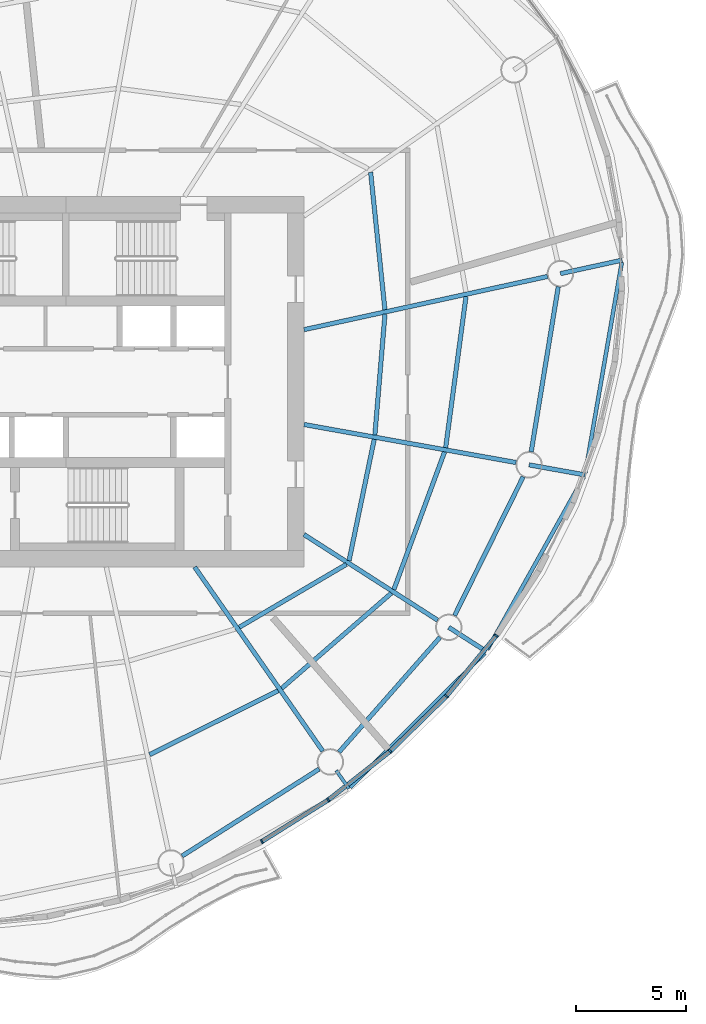
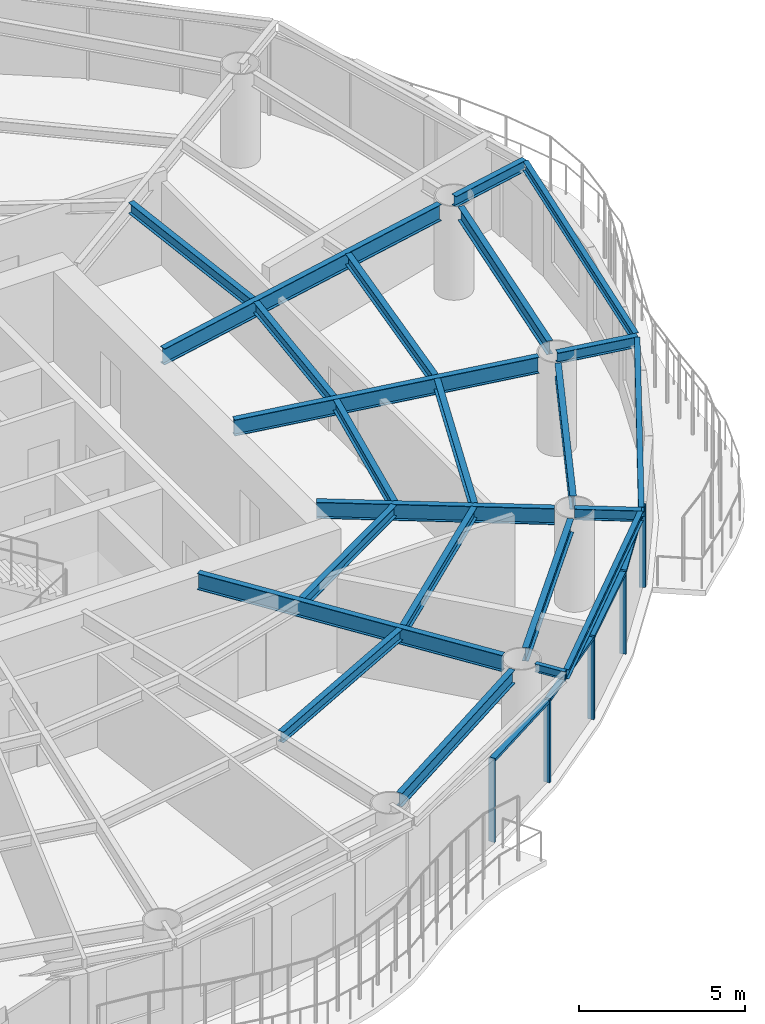
# One storey, part 4 of 14: 23 beams, 9 members, 4 elements without a shape of their own.
"""IFC4 building model written with IfcOpenShell, lengths in metres."""

from ifc_helpers import new_model, si_unit, direction, frame, origin, origin_2d, place, context, subcontext, project, spatial, rectangle, i_section, extrude, material, material_profile, profile_set, type_object, element, aggregate, save


model = new_model("IFC4")

# Units and contexts
model_context = context("Model", 3, precision=1e-05, world=origin(), true_north=direction((0.0, 1.0)))
body_context = subcontext(model_context, "Body", "Model", "MODEL_VIEW")
ifc_project = project(units=[si_unit("LENGTHUNIT", "METRE"), si_unit("AREAUNIT", "SQUARE_METRE"), si_unit("VOLUMEUNIT", "CUBIC_METRE"), si_unit("PLANEANGLEUNIT", "RADIAN"), si_unit("MASSUNIT", "GRAM", prefix="KILO")], contexts=[model_context])

# Site, building, storey
site_placement = place(None, origin())
site = spatial("IfcSite", under=ifc_project, at=site_placement, CompositionType="ELEMENT")
building_placement = place(site_placement, origin())
building = spatial("IfcBuilding", under=site, at=building_placement, Name="Vermilion Reach Broadcast Tower", CompositionType="ELEMENT")
storey_placement = place(building_placement, frame((0.0, 0.0, 199.300048828125)))
storey = spatial("IfcBuildingStorey", under=building, at=storey_placement, Name="L48", CompositionType="ELEMENT", Elevation=199.300048828125)

# Beams
ifc_material_1 = material(Name="Steel S355J2", Category="steel")
ifc_material_profile_1 = material_profile(ifc_material_1, i_section(OverallWidth=0.175048828125, OverallDepth=0.35009765625, WebThickness=0.007080078125, FlangeThickness=0.010986328125, at=origin_2d()), Name="S355J2 HN 350x175x7x11")
ifc_profile_set_1 = profile_set([ifc_material_profile_1], Name="Steel S355J2")
beam_type_1 = type_object("IfcBeamType", Name="EB4 HN 350x175x7x11", PredefinedType="BEAM", material=ifc_profile_set_1)
beam_1_placement = place(storey_placement, frame((6.8876953125, -18.39111328125, 3.27490234375), z_axis=(0.707884714629, 0.706327990946, 0.0), x_axis=(-0.706327990946, 0.707884714629, 0.0)))
element("IfcBeam", 1, at=beam_1_placement, inside=storey, type_object=beam_type_1, Name="Edge beam EB4-12", PredefinedType="BEAM", context=body_context, shape_type="SweptSolid", body=[
    extrude(i_section(OverallWidth=0.175048828125, OverallDepth=0.35009765625, WebThickness=0.007080078125, FlangeThickness=0.010986328125, at=origin_2d()), origin(), (0.0, 0.0, 1.0), 8.625732421875),
])
beam_2_placement = place(storey_placement, frame((13.114990234375, -12.138671875, 3.27490234375), z_axis=(0.487630849957, 0.873049915051, 0.0), x_axis=(-0.873049915051, 0.487630849957, 0.0)))
element("IfcBeam", 2, at=beam_2_placement, inside=storey, type_object=beam_type_1, Name="Edge beam EB4-13", PredefinedType="BEAM", context=body_context, shape_type="SweptSolid", body=[
    extrude(i_section(OverallWidth=0.175048828125, OverallDepth=0.35009765625, WebThickness=0.007080078125, FlangeThickness=0.010986328125, at=origin_2d()), origin(), (0.0, 0.0, 1.0), 8.9619140625),
])
beam_3_placement = place(storey_placement, frame((17.553955078125, -4.123779296875, 3.27490234375), z_axis=(0.170837360875, 0.985299241921, 0.0), x_axis=(-0.985299241921, 0.170837360875, 0.0)))
element("IfcBeam", 3, at=beam_3_placement, inside=storey, type_object=beam_type_1, Name="Edge beam EB4-14", PredefinedType="BEAM", context=body_context, shape_type="SweptSolid", body=[
    extrude(i_section(OverallWidth=0.175048828125, OverallDepth=0.35009765625, WebThickness=0.007080078125, FlangeThickness=0.010986328125, at=origin_2d()), origin(), (0.0, 0.0, 1.0), 9.67333984375),
])
ifc_material_2 = material(Name="Steel S355J2", Category="steel")
ifc_material_profile_2 = material_profile(ifc_material_2, i_section(OverallWidth=0.199951171875, OverallDepth=0.60009765625, WebThickness=0.010986328125, FlangeThickness=0.01708984375, at=origin_2d()), Name="S355J2 HN 600x200x11x17")
ifc_profile_set_2 = profile_set([ifc_material_profile_2], Name="Steel S355J2")
beam_type_2 = type_object("IfcBeamType", Name="G4 HN 600x200x11x17", PredefinedType="BEAM", material=ifc_profile_set_2)
beam_4_placement = place(storey_placement, frame((-0.1552734375, -8.39990234375, 3.14990234375), z_axis=(0.571134149017, -0.8208567377, 0.0), x_axis=(0.8208567377, 0.571134149017, 0.0)))
element("IfcBeam", 4, at=beam_4_placement, inside=storey, type_object=beam_type_2, Name="Girder G4-12", PredefinedType="BEAM", context=body_context, shape_type="SweptSolid", body=[
    extrude(i_section(OverallWidth=0.199951171875, OverallDepth=0.60009765625, WebThickness=0.010986328125, FlangeThickness=0.01708984375, at=origin_2d()), origin(), (0.0, 0.0, 1.0), 10.16552734375),
])
beam_5_placement = place(storey_placement, frame((4.800048828125, -6.925537109375, 3.14990234375), z_axis=(0.841798504642, -0.539791883584, 0.0), x_axis=(0.539791883584, 0.841798504642, 0.0)))
element("IfcBeam", 5, at=beam_5_placement, inside=storey, type_object=beam_type_2, Name="Girder G4-13", PredefinedType="BEAM", context=body_context, shape_type="SweptSolid", body=[
    extrude(i_section(OverallWidth=0.199951171875, OverallDepth=0.60009765625, WebThickness=0.010986328125, FlangeThickness=0.01708984375, at=origin_2d()), origin(), (0.0, 0.0, 1.0), 7.1962890625),
])
beam_6_placement = place(storey_placement, frame((4.800048828125, -1.9375, 3.14990234375), z_axis=(0.984291153273, -0.176552897422, 0.0), x_axis=(0.176552897422, 0.984291153273, 0.0)))
element("IfcBeam", 6, at=beam_6_placement, inside=storey, type_object=beam_type_2, Name="Girder G4-14", PredefinedType="BEAM", context=body_context, shape_type="SweptSolid", body=[
    extrude(i_section(OverallWidth=0.199951171875, OverallDepth=0.60009765625, WebThickness=0.010986328125, FlangeThickness=0.01708984375, at=origin_2d()), origin(), (0.0, 0.0, 1.0), 9.765380859375),
])
beam_7_placement = place(storey_placement, frame((4.800048828125, 2.360595703125, 3.14990234375), z_axis=(0.976930175286, 0.213558967537, 0.0), x_axis=(-0.213558967537, 0.976930175286, 0.0)))
element("IfcBeam", 7, at=beam_7_placement, inside=storey, type_object=beam_type_2, Name="Girder G4-15", PredefinedType="BEAM", context=body_context, shape_type="SweptSolid", body=[
    extrude(i_section(OverallWidth=0.199951171875, OverallDepth=0.60009765625, WebThickness=0.010986328125, FlangeThickness=0.01708984375, at=origin_2d()), origin(), (0.0, 0.0, 1.0), 11.29833984375),
])
ifc_material_3 = material(Name="Steel S355J2", Category="steel")
ifc_material_profile_3 = material_profile(ifc_material_3, i_section(OverallWidth=0.199951171875, OverallDepth=0.39990234375, WebThickness=0.008056640625, FlangeThickness=0.012939453125, at=origin_2d()), Name="S355J2 HN 400x200x8x13")
ifc_profile_set_3 = profile_set([ifc_material_profile_3], Name="Steel S355J2")
beam_type_3 = type_object("IfcBeamType", Name="GC4 HN 400x200x8x13", PredefinedType="BEAM", material=ifc_profile_set_3)
beam_8_placement = place(storey_placement, frame((11.36279296875, -11.134033203125, 3.25), z_axis=(0.841793389635, -0.539799860288, 0.0), x_axis=(0.539799860288, 0.841793389635, 0.0)))
element("IfcBeam", 8, at=beam_8_placement, inside=storey, type_object=beam_type_3, Name="Cantilever girder GC4-13", PredefinedType="BEAM", context=body_context, shape_type="SweptSolid", body=[
    extrude(i_section(OverallWidth=0.199951171875, OverallDepth=0.39990234375, WebThickness=0.008056640625, FlangeThickness=0.012939453125, at=origin_2d()), origin(), (0.0, 0.0, 1.0), 2.0234375),
])
beam_9_placement = place(storey_placement, frame((15.002685546875, -3.767578125, 3.25), z_axis=(0.984288959159, -0.176565129283, 0.0), x_axis=(0.176565129283, 0.984288959159, 0.0)))
element("IfcBeam", 9, at=beam_9_placement, inside=storey, type_object=beam_type_3, Name="Cantilever girder GC4-14", PredefinedType="BEAM", context=body_context, shape_type="SweptSolid", body=[
    extrude(i_section(OverallWidth=0.199951171875, OverallDepth=0.39990234375, WebThickness=0.008056640625, FlangeThickness=0.012939453125, at=origin_2d()), origin(), (0.0, 0.0, 1.0), 2.57470703125),
])
beam_10_placement = place(storey_placement, frame((16.423828125, 4.9013671875, 3.25), z_axis=(0.976930559979, 0.213557207742, 0.0), x_axis=(-0.213557207742, 0.976930559979, 0.0)))
element("IfcBeam", 10, at=beam_10_placement, inside=storey, type_object=beam_type_3, Name="Cantilever girder GC4-15", PredefinedType="BEAM", context=body_context, shape_type="SweptSolid", body=[
    extrude(i_section(OverallWidth=0.199951171875, OverallDepth=0.39990234375, WebThickness=0.008056640625, FlangeThickness=0.012939453125, at=origin_2d()), origin(), (0.0, 0.0, 1.0), 2.8671875),
])
ifc_material_4 = material(Name="Steel S355J2", Category="steel")
ifc_material_profile_4 = material_profile(ifc_material_4, i_section(OverallWidth=0.14990234375, OverallDepth=0.300048828125, WebThickness=0.006591796875, FlangeThickness=0.009033203125, at=origin_2d()), Name="S355J2 HN 300x150x6.5x9")
ifc_profile_set_4 = profile_set([ifc_material_profile_4], Name="Steel S355J2")
beam_type_4 = type_object("IfcBeamType", Name="GS4 HN 300x150x6.5x9", PredefinedType="BEAM", material=ifc_profile_set_4)
beam_11_placement = place(storey_placement, frame((6.2626953125, -17.6240234375, 3.300048828125), z_axis=(0.571264751294, -0.820765852073, 0.0), x_axis=(0.820765852073, 0.571264751294, 0.0)))
element("IfcBeam", 11, at=beam_11_placement, inside=storey, type_object=beam_type_4, Name="Cantilever stub GS4-12", PredefinedType="BEAM", context=body_context, shape_type="SweptSolid", body=[
    extrude(i_section(OverallWidth=0.14990234375, OverallDepth=0.300048828125, WebThickness=0.006591796875, FlangeThickness=0.009033203125, at=origin_2d()), origin(), (0.0, 0.0, 1.0), 1.0),
])
ifc_material_5 = material(Name="Steel S355J2", Category="steel")
ifc_material_profile_5 = material_profile(ifc_material_5, i_section(OverallWidth=0.199951171875, OverallDepth=0.5, WebThickness=0.010009765625, FlangeThickness=0.01611328125, at=origin_2d()), Name="S355J2 HN 500x200x10x16")
ifc_profile_set_5 = profile_set([ifc_material_profile_5], Name="Steel S355J2")
beam_type_5 = type_object("IfcBeamType", Name="RB4 HN 500x200x10x16", PredefinedType="BEAM", material=ifc_profile_set_5)
beam_12_placement = place(storey_placement, frame((-0.72412109375, -21.497314453125, 3.199951171875), z_axis=(0.84446426774, 0.535611893549, 0.0), x_axis=(-0.535611893549, 0.84446426774, 0.0)))
element("IfcBeam", 12, at=beam_12_placement, inside=storey, type_object=beam_type_5, Name="Ring beam RB4-11", PredefinedType="BEAM", context=body_context, shape_type="SweptSolid", body=[
    extrude(i_section(OverallWidth=0.199951171875, OverallDepth=0.5, WebThickness=0.010009765625, FlangeThickness=0.01611328125, at=origin_2d()), origin(), (0.0, 0.0, 1.0), 7.3544921875),
])
beam_13_placement = place(storey_placement, frame((6.3896484375, -16.786376953125, 3.199951171875), z_axis=(0.660565141761, 0.750768735024, 0.0), x_axis=(-0.750768735024, 0.660565141761, 0.0)))
element("IfcBeam", 13, at=beam_13_placement, inside=storey, type_object=beam_type_5, Name="Ring beam RB4-12", PredefinedType="BEAM", context=body_context, shape_type="SweptSolid", body=[
    extrude(i_section(OverallWidth=0.199951171875, OverallDepth=0.5, WebThickness=0.010009765625, FlangeThickness=0.01611328125, at=origin_2d()), origin(), (0.0, 0.0, 1.0), 6.9287109375),
])
beam_14_placement = place(storey_placement, frame((11.628662109375, -10.595947265625, 3.199951171875), z_axis=(0.442977497199, 0.896532730566, 0.0), x_axis=(-0.896532730566, 0.442977497199, 0.0)))
element("IfcBeam", 14, at=beam_14_placement, inside=storey, type_object=beam_type_5, Name="Ring beam RB4-13", PredefinedType="BEAM", context=body_context, shape_type="SweptSolid", body=[
    extrude(i_section(OverallWidth=0.199951171875, OverallDepth=0.5, WebThickness=0.010009765625, FlangeThickness=0.01611328125, at=origin_2d()), origin(), (0.0, 0.0, 1.0), 7.0166015625),
])
beam_15_placement = place(storey_placement, frame((15.099609375, -3.175537109375, 3.199951171875), z_axis=(0.161778110263, 0.986827159659, 0.0), x_axis=(-0.986827159659, 0.161778110263, 0.0)))
element("IfcBeam", 15, at=beam_15_placement, inside=storey, type_object=beam_type_5, Name="Ring beam RB4-14", PredefinedType="BEAM", context=body_context, shape_type="SweptSolid", body=[
    extrude(i_section(OverallWidth=0.199951171875, OverallDepth=0.5, WebThickness=0.010009765625, FlangeThickness=0.01611328125, at=origin_2d()), origin(), (0.0, 0.0, 1.0), 7.584716796875),
])
ifc_material_6 = material(Name="Steel S355J2", Category="steel")
ifc_material_profile_6 = material_profile(ifc_material_6, i_section(OverallWidth=0.199951171875, OverallDepth=0.39990234375, WebThickness=0.008056640625, FlangeThickness=0.012939453125, at=origin_2d()), Name="S355J2 HN 400x200x8x13")
ifc_profile_set_6 = profile_set([ifc_material_profile_6], Name="Steel S355J2")
beam_type_6 = type_object("IfcBeamType", Name="SB4 HN 400x200x8x13", PredefinedType="BEAM", material=ifc_profile_set_6)
beam_16_placement = place(storey_placement, frame((-2.20166015625, -16.908935546875, 3.25), z_axis=(0.895183615542, 0.445697536974, 0.0), x_axis=(-0.445697536974, 0.895183615542, 0.0)))
element("IfcBeam", 16, at=beam_16_placement, inside=storey, type_object=beam_type_6, Name="Secondary beam SB4-11-2", PredefinedType="BEAM", context=body_context, shape_type="SweptSolid", body=[
    extrude(i_section(OverallWidth=0.199951171875, OverallDepth=0.39990234375, WebThickness=0.008056640625, FlangeThickness=0.012939453125, at=origin_2d()), origin(), (0.0, 0.0, 1.0), 6.508544921875),
])
beam_17_placement = place(storey_placement, frame((1.866455078125, -11.130615234375, 3.25), z_axis=(0.862172572268, 0.506614701356, 0.0), x_axis=(-0.506614701356, 0.862172572268, 0.0)))
element("IfcBeam", 17, at=beam_17_placement, inside=storey, type_object=beam_type_6, Name="Secondary beam SB4-12-1", PredefinedType="BEAM", context=body_context, shape_type="SweptSolid", body=[
    extrude(i_section(OverallWidth=0.199951171875, OverallDepth=0.39990234375, WebThickness=0.008056640625, FlangeThickness=0.012939453125, at=origin_2d()), origin(), (0.0, 0.0, 1.0), 5.632568359375),
])
beam_18_placement = place(storey_placement, frame((3.791259765625, -13.89697265625, 3.25), z_axis=(0.755129308567, 0.655575874589, 0.0), x_axis=(-0.655575874589, 0.755129308567, 0.0)))
element("IfcBeam", 18, at=beam_18_placement, inside=storey, type_object=beam_type_6, Name="Secondary beam SB4-12-2", PredefinedType="BEAM", context=body_context, shape_type="SweptSolid", body=[
    extrude(i_section(OverallWidth=0.199951171875, OverallDepth=0.39990234375, WebThickness=0.008056640625, FlangeThickness=0.012939453125, at=origin_2d()), origin(), (0.0, 0.0, 1.0), 6.57958984375),
])
beam_19_placement = place(storey_placement, frame((6.841064453125, -8.115478515625, 3.25), z_axis=(0.20320860258, 0.979135467562, 0.0), x_axis=(-0.979135467562, 0.20320860258, 0.0)))
element("IfcBeam", 19, at=beam_19_placement, inside=storey, type_object=beam_type_6, Name="Secondary beam SB4-13-1", PredefinedType="BEAM", context=body_context, shape_type="SweptSolid", body=[
    extrude(i_section(OverallWidth=0.199951171875, OverallDepth=0.39990234375, WebThickness=0.008056640625, FlangeThickness=0.012939453125, at=origin_2d()), origin(), (0.0, 0.0, 1.0), 5.622802734375),
])
beam_20_placement = place(storey_placement, frame((8.8740234375, -9.419189453125, 3.25), z_axis=(0.345833008621, 0.938296078084, 0.0), x_axis=(-0.938296078084, 0.345833008621, 0.0)))
element("IfcBeam", 20, at=beam_20_placement, inside=storey, type_object=beam_type_6, Name="Secondary beam SB4-13-2", PredefinedType="BEAM", context=body_context, shape_type="SweptSolid", body=[
    extrude(i_section(OverallWidth=0.199951171875, OverallDepth=0.39990234375, WebThickness=0.008056640625, FlangeThickness=0.012939453125, at=origin_2d()), origin(), (0.0, 0.0, 1.0), 6.647216796875),
])
beam_21_placement = place(storey_placement, frame((8.012451171875, -2.412109375, 3.25), z_axis=(0.08339866655, 0.996516262997, 0.0), x_axis=(-0.996516262997, 0.08339866655, 0.0)))
element("IfcBeam", 21, at=beam_21_placement, inside=storey, type_object=beam_type_6, Name="Secondary beam SB4-14-1", PredefinedType="BEAM", context=body_context, shape_type="SweptSolid", body=[
    extrude(i_section(OverallWidth=0.199951171875, OverallDepth=0.39990234375, WebThickness=0.008056640625, FlangeThickness=0.012939453125, at=origin_2d()), origin(), (0.0, 0.0, 1.0), 5.49169921875),
])
beam_22_placement = place(storey_placement, frame((11.221435546875, -2.98779296875, 3.25), z_axis=(0.133486718782, 0.991050602093, 0.0), x_axis=(-0.991050602093, 0.133486718782, 0.0)))
element("IfcBeam", 22, at=beam_22_placement, inside=storey, type_object=beam_type_6, Name="Secondary beam SB4-14-2", PredefinedType="BEAM", context=body_context, shape_type="SweptSolid", body=[
    extrude(i_section(OverallWidth=0.199951171875, OverallDepth=0.39990234375, WebThickness=0.008056640625, FlangeThickness=0.012939453125, at=origin_2d()), origin(), (0.0, 0.0, 1.0), 6.913330078125),
])
beam_23_placement = place(storey_placement, frame((8.46875, 3.264892578125, 3.25), z_axis=(-0.103532173355, 0.994626105167, 0.0), x_axis=(-0.994626105167, -0.103532173355, 0.0)))
element("IfcBeam", 23, at=beam_23_placement, inside=storey, type_object=beam_type_6, Name="Secondary beam SB4-15-1", PredefinedType="BEAM", context=body_context, shape_type="SweptSolid", body=[
    extrude(i_section(OverallWidth=0.199951171875, OverallDepth=0.39990234375, WebThickness=0.008056640625, FlangeThickness=0.012939453125, at=origin_2d()), origin(), (0.0, 0.0, 1.0), 6.26318359375),
])

# Curtain wall, member
ifc_material_7 = material(Name="Low-e laminated clear glass in aluminium frame", Category="aluminium")
curtain_wall_type = type_object("IfcCurtainWallType", Name="Slot curtain wall", PredefinedType="NOTDEFINED", material=ifc_material_7)
placement = place(storey_placement, origin())
curtain_wall_1 = element("IfcCurtainWall", 24, at=placement, inside=storey, type_object=curtain_wall_type, Name="Slot curtain wall L48 34", PredefinedType="NOTDEFINED")
ifc_material_8 = material(Name="Anodised aluminium", Category="aluminium")
ifc_material_profile_7 = material_profile(ifc_material_8, rectangle(XDim=0.199951171875, YDim=0.080078125, at=origin_2d()), Name="Slot mullion 80 x 200")
ifc_profile_set_7 = profile_set([ifc_material_profile_7], Name="Anodised aluminium")
member_type_1 = type_object("IfcMemberType", Name="Slot mullion 80 x 200", PredefinedType="MULLION", material=ifc_profile_set_7)
member_1_placement = place(storey_placement, frame((2.888427734375, -20.84130859375, 0.0), z_axis=(0.0, 0.0, 1.0), x_axis=(-0.482961562977, 0.875641552627, 0.0)))
member_1 = element("IfcMember", 25, at=member_1_placement, type_object=member_type_1, Name="Slot mullion L48 34", PredefinedType="MULLION", context=body_context, shape_type="SweptSolid", body=[
    extrude(rectangle(XDim=0.199951171875, YDim=0.080078125, at=origin_2d()), origin(), (0.0, 0.0, 1.0), 3.050048828125),
])

curtain_wall_2 = element("IfcCurtainWall", 26, at=placement, inside=storey, type_object=curtain_wall_type, Name="Slot curtain wall L48 35", PredefinedType="NOTDEFINED")
member_2_placement = place(storey_placement, frame((5.898681640625, -18.95849609375, 0.0), z_axis=(0.0, 0.0, 1.0), x_axis=(-0.57520606383, 0.818008547714, 0.0)))
member_2 = element("IfcMember", 27, at=member_2_placement, type_object=member_type_1, Name="Slot mullion L48 35", PredefinedType="MULLION", context=body_context, shape_type="SweptSolid", body=[
    extrude(rectangle(XDim=0.199951171875, YDim=0.080078125, at=origin_2d()), origin(), (0.0, 0.0, 1.0), 3.050048828125),
])

curtain_wall_3 = element("IfcCurtainWall", 28, at=placement, inside=storey, type_object=curtain_wall_type, Name="Slot curtain wall L48 36", PredefinedType="NOTDEFINED")
member_3_placement = place(storey_placement, frame((8.704833984375, -16.75, 0.0), z_axis=(0.0, 0.0, 1.0), x_axis=(-0.659739355677, 0.751494499362, 0.0)))
member_3 = element("IfcMember", 29, at=member_3_placement, type_object=member_type_1, Name="Slot mullion L48 36", PredefinedType="MULLION", context=body_context, shape_type="SweptSolid", body=[
    extrude(rectangle(XDim=0.199951171875, YDim=0.080078125, at=origin_2d()), origin(), (0.0, 0.0, 1.0), 3.050048828125),
])

# Curtain wall, members
curtain_wall_4 = element("IfcCurtainWall", 30, at=placement, inside=storey, type_object=curtain_wall_type, Name="Slot curtain wall L48 37", PredefinedType="NOTDEFINED")
member_4_placement = place(storey_placement, frame((11.25830078125, -14.25341796875, 0.0), z_axis=(0.0, 0.0, 1.0), x_axis=(-0.736639517395, 0.676285606391, 0.0)))
member_4 = element("IfcMember", 31, at=member_4_placement, type_object=member_type_1, Name="Slot mullion L48 37", PredefinedType="MULLION", context=body_context, shape_type="SweptSolid", body=[
    extrude(rectangle(XDim=0.199951171875, YDim=0.080078125, at=origin_2d()), origin(), (0.0, 0.0, 1.0), 3.050048828125),
])
member_5_placement = place(storey_placement, frame((13.514892578125, -11.51220703125, 0.0), z_axis=(0.0, 0.0, 1.0), x_axis=(-0.805731904266, 0.592280422137, 0.0)))
member_5 = element("IfcMember", 32, at=member_5_placement, type_object=member_type_1, Name="Slot mullion L48 38", PredefinedType="MULLION", context=body_context, shape_type="SweptSolid", body=[
    extrude(rectangle(XDim=0.199951171875, YDim=0.080078125, at=origin_2d()), origin(), (0.0, 0.0, 1.0), 3.050048828125),
])

# Member
ifc_material_9 = material(Name="Anodised aluminium", Category="aluminium")
ifc_material_profile_8 = material_profile(ifc_material_9, rectangle(XDim=0.199951171875, YDim=0.10009765625, at=origin_2d()), Name="Slot transom 200 x 100")
ifc_profile_set_8 = profile_set([ifc_material_profile_8], Name="Anodised aluminium")
member_type_2 = type_object("IfcMemberType", Name="Slot transom 200 x 100", PredefinedType="USERDEFINED", material=ifc_profile_set_8)
member_6_placement = place(storey_placement, frame((2.92236328125, -20.820068359375, 3.0), z_axis=(0.847824366425, 0.530277138576, 0.0), x_axis=(-0.530277138576, 0.847824366425, 0.0)))
member_6 = element("IfcMember", 33, at=member_6_placement, type_object=member_type_2, Name="Slot transom L48 34.1", ObjectType="TRANSOM", PredefinedType="USERDEFINED", context=body_context, shape_type="SweptSolid", body=[
    extrude(rectangle(XDim=0.199951171875, YDim=0.10009765625, at=origin_2d()), origin(), (0.0, 0.0, 1.0), 3.470458984375),
])

aggregate(curtain_wall_1, [member_1, member_6])

member_7_placement = place(storey_placement, frame((5.93017578125, -18.933837890625, 3.0), z_axis=(0.785784160328, 0.618500811137, 0.0), x_axis=(-0.618500811137, 0.785784160328, 0.0)))
member_7 = element("IfcMember", 34, at=member_7_placement, type_object=member_type_2, Name="Slot transom L48 35.1", ObjectType="TRANSOM", PredefinedType="USERDEFINED", context=body_context, shape_type="SweptSolid", body=[
    extrude(rectangle(XDim=0.199951171875, YDim=0.10009765625, at=origin_2d()), origin(), (0.0, 0.0, 1.0), 3.490966796875),
])

aggregate(curtain_wall_2, [member_2, member_7])

member_8_placement = place(storey_placement, frame((8.7333984375, -16.721923828125, 3.0), z_axis=(0.714999677397, 0.699124782369, 0.0), x_axis=(-0.699124782369, 0.714999677397, 0.0)))
member_8 = element("IfcMember", 35, at=member_8_placement, type_object=member_type_2, Name="Slot transom L48 36.1", ObjectType="TRANSOM", PredefinedType="USERDEFINED", context=body_context, shape_type="SweptSolid", body=[
    extrude(rectangle(XDim=0.199951171875, YDim=0.10009765625, at=origin_2d()), origin(), (0.0, 0.0, 1.0), 3.490966796875),
])

aggregate(curtain_wall_3, [member_3, member_8])

member_9_placement = place(storey_placement, frame((11.28369140625, -14.222412109375, 3.0), z_axis=(0.635571628522, 0.772041906257, 0.0), x_axis=(-0.772041906257, 0.635571628522, 0.0)))
member_9 = element("IfcMember", 36, at=member_9_placement, type_object=member_type_2, Name="Slot transom L48 37.1", ObjectType="TRANSOM", PredefinedType="USERDEFINED", context=body_context, shape_type="SweptSolid", body=[
    extrude(rectangle(XDim=0.199951171875, YDim=0.10009765625, at=origin_2d()), origin(), (0.0, 0.0, 1.0), 3.470703125),
])

aggregate(curtain_wall_4, [member_4, member_5, member_9])

save(model, "model.ifc")
